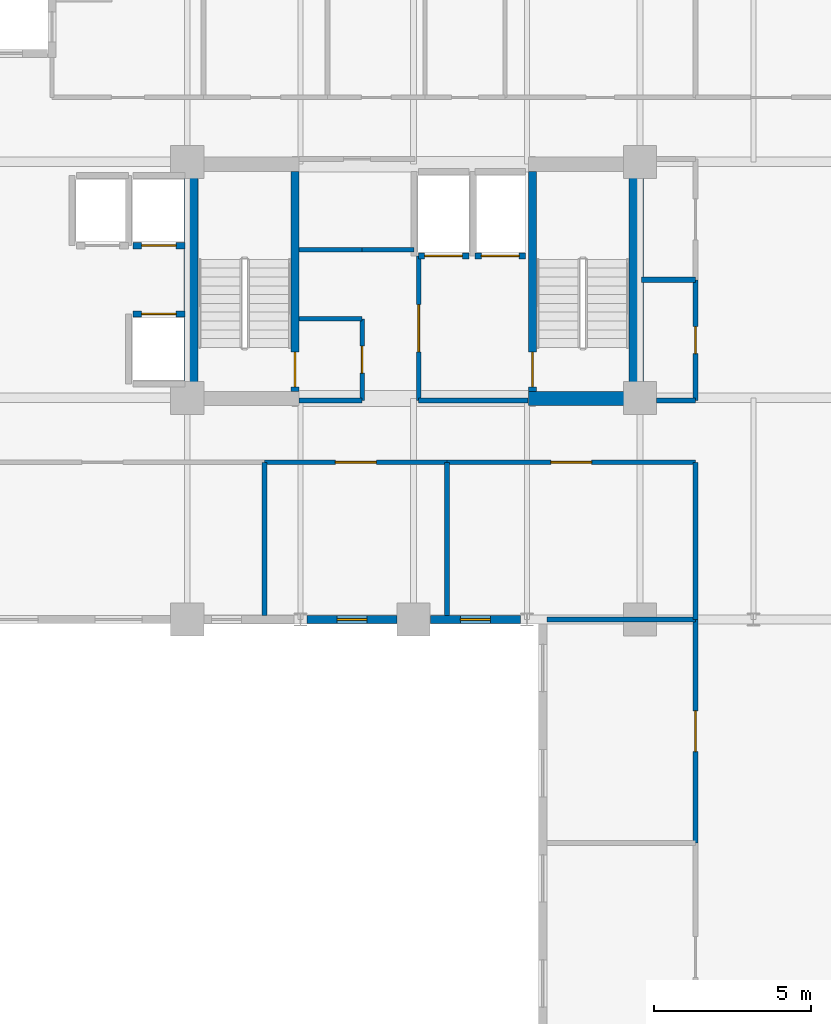
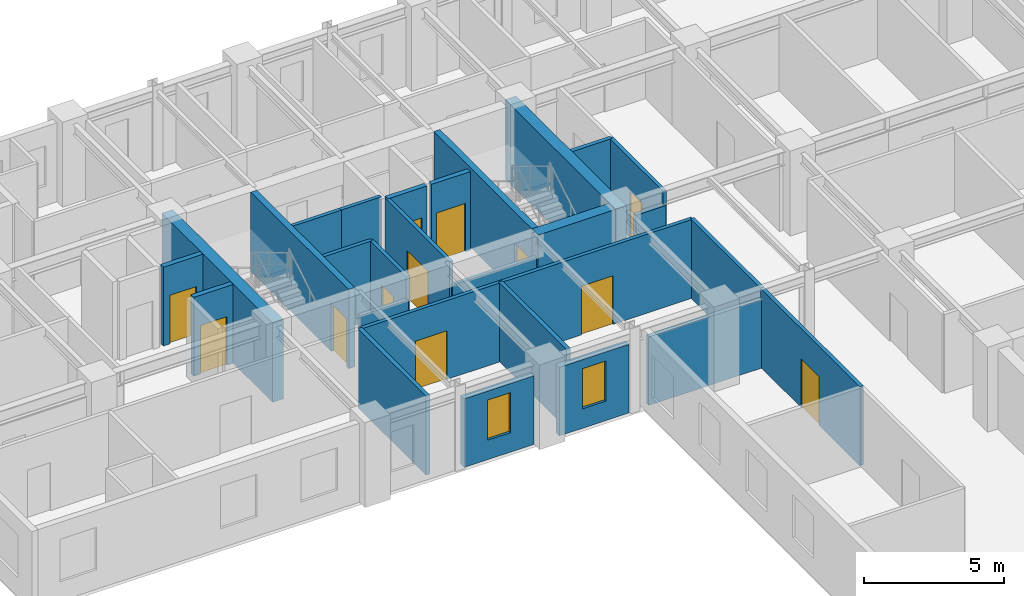
# One storey, part 5 of 13: 28 walls, 12 doors, 2 windows, 14 openings.
"""IFC4 building model written with IfcOpenShell, lengths in metres."""

from ifc_helpers import new_model, si_unit, direction, frame, frame_2d, origin, place, context, subcontext, project, spatial, rectangle, extrude, material, layer, layer_set, type_object, element, fill, save


model = new_model("IFC4")

# Units and contexts
model_context = context("Model", 3, precision=1e-05, world=origin(), true_north=direction((0.0, 1.0)))
body_context = subcontext(model_context, "Body", "Model", "MODEL_VIEW")
ifc_project = project(units=[si_unit("LENGTHUNIT", "METRE"), si_unit("AREAUNIT", "SQUARE_METRE"), si_unit("VOLUMEUNIT", "CUBIC_METRE"), si_unit("PLANEANGLEUNIT", "RADIAN"), si_unit("MASSUNIT", "GRAM", prefix="KILO")], contexts=[model_context])

# Site, building, storey
site_placement = place(None, origin())
site = spatial("IfcSite", under=ifc_project, at=site_placement, CompositionType="ELEMENT")
building_placement = place(site_placement, origin())
building = spatial("IfcBuilding", under=site, at=building_placement, Name="Kaliganga Portal Commons", CompositionType="ELEMENT")
storey_placement = place(building_placement, frame((0.0, 0.0, 177.199951171875)))
storey = spatial("IfcBuildingStorey", under=building, at=storey_placement, Name="L45", CompositionType="ELEMENT", Elevation=177.199951171875)

# Walls
ifc_material_1 = material(Name="Concrete C60/75", Category="concrete")
ifc_layer_1 = layer(ifc_material_1, 0.449951171875)
ifc_layer_set_1 = layer_set([ifc_layer_1], Name="Concrete C60/75")
wall_type_1 = type_object("IfcWallType", Name="WL-CORE-450", PredefinedType="SHEAR", material=ifc_layer_set_1)
for number, where, z_axis, x_axis, name in (
    (1, (14.52490234375, 28.39990234375, 0.0), (0.0, 0.0, 1.0), (0.0, 1.0, 0.0), "Core A West Shear Wall L45"),
    (2, (28.675048828125, 28.39990234375, 0.0), (0.0, 0.0, 1.0), (0.0, 1.0, 0.0), "Core A East Shear Wall L45"),
):
    element("IfcWall", number, at=place(storey_placement, frame(where, z_axis=z_axis, x_axis=x_axis)), inside=storey, type_object=wall_type_1, Name=name, PredefinedType="SHEAR", context=body_context, shape_type="SweptSolid", body=[
        extrude(rectangle(XDim=7.900146484375, YDim=0.449951171875, at=frame_2d((3.9501953125, 0.0))), origin(), (0.0, 0.0, 1.0), 3.4599609375),
    ])
wall_1_placement = place(storey_placement, frame((25.25, 28.625, 0.0), z_axis=(0.0, 0.0, 1.0), x_axis=(1.0, 0.0, 0.0)))
element("IfcWall", 3, at=wall_1_placement, inside=storey, type_object=wall_type_1, Name="Core A S-East Shear Wall L45", PredefinedType="SHEAR", context=body_context, shape_type="SweptSolid", body=[
    extrude(rectangle(XDim=3.199951171875, YDim=0.449951171875, at=frame_2d((1.60009765625, 0.0))), origin(), (0.0, 0.0, 1.0), 3.4599609375),
])

# Wall, opening, window
ifc_material_2 = material(Name="Insulated Aluminium-Clad Spandrel Assembly", Category="aluminium")
ifc_layer_2 = layer(ifc_material_2, 0.260009765625)
ifc_layer_set_2 = layer_set([ifc_layer_2], Name="Insulated Aluminium-Clad Spandrel Assembly")
wall_type_2 = type_object("IfcWallType", Name="WL-EXT-SPAND-260", PredefinedType="STANDARD", material=ifc_layer_set_2)
wall_2_placement = place(storey_placement, frame((21.073974609375, 21.60009765625, 0.0), z_axis=(0.0, 0.0, 1.0), x_axis=(-1.0, 0.0, 0.0)))
wall_2 = element("IfcWall", 4, at=wall_2_placement, inside=storey, type_object=wall_type_2, Name="Exterior Envelope Wall L45 P1-E10-S3", PredefinedType="STANDARD", context=body_context, shape_type="SweptSolid", body=[
    extrude(rectangle(XDim=2.87109375, YDim=0.260009765625, at=frame_2d((1.435546875, 0.0))), origin(), (0.0, 0.0, 1.0), 2.989990234375),
])
opening_1_placement = place(wall_2_placement, frame((0.96044921875, 0.0, 0.85009765625)))
opening_1 = element("IfcOpeningElement", 5, at=opening_1_placement, cuts=wall_2, Name="Opening W-04", PredefinedType="OPENING", context=body_context, shape_type="SweptSolid", body=[
    extrude(rectangle(XDim=0.949951171875, YDim=1.75, at=frame_2d((0.47509765625, 0.875))), frame((0.0, 0.14013671875, 0.0), z_axis=(0.0, -1.0, 0.0), x_axis=(1.0, 0.0, 0.0)), (0.0, 0.0, 1.0), 0.280029296875),
])
ifc_material_3 = material(Name="Thermally Broken Aluminium and Low-E Double Glazing", Category="aluminium")
window_type = type_object("IfcWindowType", Name="WIN-NARROW-950", PartitioningType="SINGLE_PANEL", PredefinedType="WINDOW", material=ifc_material_3)
window_1_placement = place(opening_1_placement, origin())
window_1 = element("IfcWindow", 6, at=window_1_placement, inside=storey, type_object=window_type, Name="Facade Window L45-P1E10S3-00", OverallHeight=1.75, OverallWidth=0.949951171875, PartitioningType="SINGLE_PANEL", PredefinedType="WINDOW", context=body_context, shape_type="SweptSolid", body=[
    extrude(rectangle(XDim=0.949951171875, YDim=1.75, at=frame_2d((0.47509765625, 0.875))), frame((0.0, 0.030029296875, 0.0), z_axis=(0.0, -1.0, 0.0), x_axis=(1.0, 0.0, 0.0)), (0.0, 0.0, 1.0), 0.06005859375),
])
fill(opening_1, window_1)

wall_3_placement = place(storey_placement, frame((24.9970703125, 21.60009765625, 0.0), z_axis=(0.0, 0.0, 1.0), x_axis=(-1.0, 0.0, 0.0)))
wall_3 = element("IfcWall", 7, at=wall_3_placement, inside=storey, type_object=wall_type_2, Name="Exterior Envelope Wall L45 P1-E10-S4", PredefinedType="STANDARD", context=body_context, shape_type="SweptSolid", body=[
    extrude(rectangle(XDim=2.87109375, YDim=0.260009765625, at=frame_2d((1.435546875, 0.0))), origin(), (0.0, 0.0, 1.0), 2.989990234375),
])
opening_2_placement = place(wall_3_placement, frame((0.96044921875, 0.0, 0.85009765625)))
opening_2 = element("IfcOpeningElement", 8, at=opening_2_placement, cuts=wall_3, Name="Opening W-04", PredefinedType="OPENING", context=body_context, shape_type="SweptSolid", body=[
    extrude(rectangle(XDim=0.949951171875, YDim=1.75, at=frame_2d((0.47509765625, 0.875))), frame((0.0, 0.14013671875, 0.0), z_axis=(0.0, -1.0, 0.0), x_axis=(1.0, 0.0, 0.0)), (0.0, 0.0, 1.0), 0.280029296875),
])
window_2_placement = place(opening_2_placement, origin())
window_2 = element("IfcWindow", 9, at=window_2_placement, inside=storey, type_object=window_type, Name="Facade Window L45-P1E10S4-00", OverallHeight=1.75, OverallWidth=0.949951171875, PartitioningType="SINGLE_PANEL", PredefinedType="WINDOW", context=body_context, shape_type="SweptSolid", body=[
    extrude(rectangle(XDim=0.949951171875, YDim=1.75, at=frame_2d((0.47509765625, 0.875))), frame((0.0, 0.030029296875, 0.0), z_axis=(0.0, -1.0, 0.0), x_axis=(1.0, 0.0, 0.0)), (0.0, 0.0, 1.0), 0.06005859375),
])
fill(opening_2, window_2)

# Wall, opening, door
ifc_material_4 = material(Name="Fire-Rated Gypsum Board on Steel Stud", Category="steel")
ifc_layer_3 = layer(ifc_material_4, 0.14990234375)
ifc_layer_set_3 = layer_set([ifc_layer_3], Name="Fire-Rated Gypsum Board on Steel Stud")
wall_type_3 = type_object("IfcWallType", Name="WL-PART-CORR-150", PredefinedType="PARTITIONING", material=ifc_layer_set_3)
wall_4_placement = place(storey_placement, frame((22.659912109375, 26.60009765625, 0.0), z_axis=(0.0, 0.0, 1.0), x_axis=(1.0, 0.0, 0.0)))
wall_4 = element("IfcWall", 10, at=wall_4_placement, inside=storey, type_object=wall_type_3, Name="Interior Partition L45-008", PredefinedType="PARTITIONING", context=body_context, shape_type="SweptSolid", body=[
    extrude(rectangle(XDim=7.900146484375, YDim=0.14990234375, at=frame_2d((3.9501953125, 0.0))), origin(), (0.0, 0.0, 1.0), 3.43994140625),
])
opening_3_placement = place(wall_4_placement, frame((3.300048828125, 0.0, 0.0)))
opening_3 = element("IfcOpeningElement", 11, at=opening_3_placement, cuts=wall_4, Name="Opening RD-03", PredefinedType="OPENING", context=body_context, shape_type="SweptSolid", body=[
    extrude(rectangle(XDim=1.300048828125, YDim=2.1201171875, at=frame_2d((0.64990234375, 1.06005859375))), frame((0.0, 0.0849609375, 0.0), z_axis=(0.0, -1.0, 0.0), x_axis=(1.0, 0.0, 0.0)), (0.0, 0.0, 1.0), 0.169921875),
])
ifc_material_5 = material(Name="Glazed Timber Seminar Vision Door", Category="wood")
door_type_1 = type_object("IfcDoorType", Name="DR-STUDY-1300", OperationType="DOUBLE_DOOR_SINGLE_SWING", PredefinedType="DOOR", material=ifc_material_5)
door_1_placement = place(opening_3_placement, origin())
door_1 = element("IfcDoor", 12, at=door_1_placement, inside=storey, type_object=door_type_1, Name="Interior Door L45-AS04", OperationType="DOUBLE_DOOR_SINGLE_SWING", OverallHeight=2.1201171875, OverallWidth=1.300048828125, PredefinedType="DOOR", context=body_context, shape_type="SweptSolid", body=[
    extrude(rectangle(XDim=1.300048828125, YDim=2.1201171875, at=frame_2d((0.64990234375, 1.06005859375))), frame((0.0, 0.02490234375, 0.0), z_axis=(0.0, -1.0, 0.0), x_axis=(1.0, 0.0, 0.0)), (0.0, 0.0, 1.0), 0.050048828125),
])
fill(opening_3, door_1)

wall_5_placement = place(storey_placement, frame((30.56005859375, 14.5, 0.0), z_axis=(0.0, 0.0, 1.0), x_axis=(0.0, 1.0, 0.0)))
wall_5 = element("IfcWall", 13, at=wall_5_placement, inside=storey, type_object=wall_type_3, Name="Interior Partition L45-013", PredefinedType="PARTITIONING", context=body_context, shape_type="SweptSolid", body=[
    extrude(rectangle(XDim=7.10009765625, YDim=0.14990234375, at=frame_2d((3.550048828125, 0.0))), origin(), (0.0, 0.0, 1.0), 3.43994140625),
])
opening_4_placement = place(wall_5_placement, frame((2.89990234375, 0.0, 0.0)))
opening_4 = element("IfcOpeningElement", 14, at=opening_4_placement, cuts=wall_5, Name="Opening RD-03", PredefinedType="OPENING", context=body_context, shape_type="SweptSolid", body=[
    extrude(rectangle(XDim=1.300048828125, YDim=2.1201171875, at=frame_2d((0.64990234375, 1.06005859375))), frame((0.0, 0.0849609375, 0.0), z_axis=(0.0, -1.0, 0.0), x_axis=(1.0, 0.0, 0.0)), (0.0, 0.0, 1.0), 0.169921875),
])
door_2_placement = place(opening_4_placement, origin())
door_2 = element("IfcDoor", 15, at=door_2_placement, inside=storey, type_object=door_type_1, Name="Interior Door L45-KW02", OperationType="DOUBLE_DOOR_SINGLE_SWING", OverallHeight=2.1201171875, OverallWidth=1.300048828125, PredefinedType="DOOR", context=body_context, shape_type="SweptSolid", body=[
    extrude(rectangle(XDim=1.300048828125, YDim=2.1201171875, at=frame_2d((0.64990234375, 1.06005859375))), frame((0.0, 0.02490234375, 0.0), z_axis=(0.0, -1.0, 0.0), x_axis=(1.0, 0.0, 0.0)), (0.0, 0.0, 1.0), 0.050048828125),
])
fill(opening_4, door_2)

wall_6_placement = place(storey_placement, frame((16.860107421875, 26.60009765625, 0.0), z_axis=(0.0, 0.0, 1.0), x_axis=(1.0, 0.0, 0.0)))
wall_6 = element("IfcWall", 16, at=wall_6_placement, inside=storey, type_object=wall_type_3, Name="Interior Partition L45-022", PredefinedType="PARTITIONING", context=body_context, shape_type="SweptSolid", body=[
    extrude(rectangle(XDim=5.7998046875, YDim=0.14990234375, at=frame_2d((2.89990234375, 0.0))), origin(), (0.0, 0.0, 1.0), 3.43994140625),
])
opening_5_placement = place(wall_6_placement, frame((2.25, 0.0, 0.0)))
opening_5 = element("IfcOpeningElement", 17, at=opening_5_placement, cuts=wall_6, Name="Opening RD-03", PredefinedType="OPENING", context=body_context, shape_type="SweptSolid", body=[
    extrude(rectangle(XDim=1.300048828125, YDim=2.1201171875, at=frame_2d((0.64990234375, 1.06005859375))), frame((0.0, 0.0849609375, 0.0), z_axis=(0.0, -1.0, 0.0), x_axis=(1.0, 0.0, 0.0)), (0.0, 0.0, 1.0), 0.169921875),
])
door_3_placement = place(opening_5_placement, origin())
door_3 = element("IfcDoor", 18, at=door_3_placement, inside=storey, type_object=door_type_1, Name="Interior Door L45-AS03", OperationType="DOUBLE_DOOR_SINGLE_SWING", OverallHeight=2.1201171875, OverallWidth=1.300048828125, PredefinedType="DOOR", context=body_context, shape_type="SweptSolid", body=[
    extrude(rectangle(XDim=1.300048828125, YDim=2.1201171875, at=frame_2d((0.64990234375, 1.06005859375))), frame((0.0, 0.02490234375, 0.0), z_axis=(0.0, -1.0, 0.0), x_axis=(1.0, 0.0, 0.0)), (0.0, 0.0, 1.0), 0.050048828125),
])
fill(opening_5, door_3)

# Wall
wall_7_placement = place(storey_placement, frame((30.56005859375, 21.60009765625, 0.0), z_axis=(0.0, 0.0, 1.0), x_axis=(0.0, 1.0, 0.0)))
element("IfcWall", 19, at=wall_7_placement, inside=storey, type_object=wall_type_3, Name="Interior Partition L45-025", PredefinedType="PARTITIONING", context=body_context, shape_type="SweptSolid", body=[
    extrude(rectangle(XDim=5.0, YDim=0.14990234375, at=frame_2d((2.5, 0.0))), origin(), (0.0, 0.0, 1.0), 3.43994140625),
])

# Wall, opening, door
wall_8_placement = place(storey_placement, frame((30.56005859375, 28.56005859375, 0.0), z_axis=(0.0, 0.0, 1.0), x_axis=(0.0, 1.0, 0.0)))
wall_8 = element("IfcWall", 20, at=wall_8_placement, inside=storey, type_object=wall_type_3, Name="Interior Partition L45-037", PredefinedType="PARTITIONING", context=body_context, shape_type="SweptSolid", body=[
    extrude(rectangle(XDim=3.83984375, YDim=0.14990234375, at=frame_2d((1.919921875, 0.0))), origin(), (0.0, 0.0, 1.0), 3.43994140625),
])
opening_6_placement = place(wall_8_placement, frame((1.489990234375, 0.0, 0.0)))
opening_6 = element("IfcOpeningElement", 21, at=opening_6_placement, cuts=wall_8, Name="Opening WD-02", PredefinedType="OPENING", context=body_context, shape_type="SweptSolid", body=[
    extrude(rectangle(XDim=0.860107421875, YDim=2.02001953125, at=frame_2d((0.43017578125, 1.010009765625))), frame((0.0, 0.0849609375, 0.0), z_axis=(0.0, -1.0, 0.0), x_axis=(1.0, 0.0, 0.0)), (0.0, 0.0, 1.0), 0.169921875),
])
ifc_material_6 = material(Name="Fire-Rated Utility Closet Door", Category="wood")
door_type_2 = type_object("IfcDoorType", Name="DR-STORE-800", OperationType="NOTDEFINED", PredefinedType="DOOR", material=ifc_material_6)
door_4_placement = place(opening_6_placement, origin())
door_4 = element("IfcDoor", 22, at=door_4_placement, inside=storey, type_object=door_type_2, Name="Interior Door L45-CSRV_A1", OperationType="SINGLE_SWING_LEFT", OverallHeight=2.02001953125, OverallWidth=0.860107421875, PredefinedType="DOOR", context=body_context, shape_type="SweptSolid", body=[
    extrude(rectangle(XDim=0.860107421875, YDim=2.02001953125, at=frame_2d((0.43017578125, 1.010009765625))), frame((0.0, 0.02490234375, 0.0), z_axis=(0.0, -1.0, 0.0), x_axis=(1.0, 0.0, 0.0)), (0.0, 0.0, 1.0), 0.050048828125),
])
fill(opening_6, door_4)

wall_9_placement = place(storey_placement, frame((19.9599609375, 28.56005859375, 0.0), z_axis=(0.0, 0.0, 1.0), x_axis=(0.0, 1.0, 0.0)))
wall_9 = element("IfcWall", 23, at=wall_9_placement, inside=storey, type_object=wall_type_3, Name="Interior Partition L45-041", PredefinedType="PARTITIONING", context=body_context, shape_type="SweptSolid", body=[
    extrude(rectangle(XDim=2.599853515625, YDim=0.14990234375, at=frame_2d((1.2998046875, 0.0))), origin(), (0.0, 0.0, 1.0), 3.43994140625),
])
opening_7_placement = place(wall_9_placement, frame((0.8701171875, 0.0, 0.0)))
opening_7 = element("IfcOpeningElement", 24, at=opening_7_placement, cuts=wall_9, Name="Opening WD-02", PredefinedType="OPENING", context=body_context, shape_type="SweptSolid", body=[
    extrude(rectangle(XDim=0.860107421875, YDim=2.02001953125, at=frame_2d((0.43017578125, 1.010009765625))), frame((0.0, 0.0849609375, 0.0), z_axis=(0.0, -1.0, 0.0), x_axis=(1.0, 0.0, 0.0)), (0.0, 0.0, 1.0), 0.169921875),
])
door_5_placement = place(opening_7_placement, origin())
door_5 = element("IfcDoor", 25, at=door_5_placement, inside=storey, type_object=door_type_2, Name="Interior Door L45-CIN_A1", OperationType="SINGLE_SWING_LEFT", OverallHeight=2.02001953125, OverallWidth=0.860107421875, PredefinedType="DOOR", context=body_context, shape_type="SweptSolid", body=[
    extrude(rectangle(XDim=0.860107421875, YDim=2.02001953125, at=frame_2d((0.43017578125, 1.010009765625))), frame((0.0, 0.02490234375, 0.0), z_axis=(0.0, -1.0, 0.0), x_axis=(1.0, 0.0, 0.0)), (0.0, 0.0, 1.0), 0.050048828125),
])
fill(opening_7, door_5)

# Walls
wall_10_placement = place(storey_placement, frame((17.9599609375, 28.56005859375, 0.0), z_axis=(0.0, 0.0, 1.0), x_axis=(1.0, 0.0, 0.0)))
element("IfcWall", 26, at=wall_10_placement, inside=storey, type_object=wall_type_3, Name="Interior Partition L45-045", PredefinedType="PARTITIONING", context=body_context, shape_type="SweptSolid", body=[
    extrude(rectangle(XDim=2.0, YDim=0.14990234375, at=frame_2d((1.0, 0.0))), origin(), (0.0, 0.0, 1.0), 2.43994140625),
])
for number, where, z_axis, x_axis, name in (
    (27, (17.9599609375, 31.159912109375, 0.0), (0.0, 0.0, 1.0), (1.0, 0.0, 0.0), "Interior Partition L45-046"),
    (28, (17.9599609375, 33.360107421875, 0.0), (0.0, 0.0, 1.0), (1.0, 0.0, 0.0), "Interior Partition L45-047"),
):
    element("IfcWall", number, at=place(storey_placement, frame(where, z_axis=z_axis, x_axis=x_axis)), inside=storey, type_object=wall_type_3, Name=name, PredefinedType="PARTITIONING", context=body_context, shape_type="SweptSolid", body=[
        extrude(rectangle(XDim=2.0, YDim=0.14990234375, at=frame_2d((1.0, 0.0))), origin(), (0.0, 0.0, 1.0), 3.43994140625),
    ])
wall_11_placement = place(storey_placement, frame((29.324951171875, 28.56005859375, 0.0), z_axis=(0.0, 0.0, 1.0), x_axis=(1.0, 0.0, 0.0)))
element("IfcWall", 29, at=wall_11_placement, inside=storey, type_object=wall_type_3, Name="Interior Partition L45-049", PredefinedType="PARTITIONING", context=body_context, shape_type="SweptSolid", body=[
    extrude(rectangle(XDim=1.235107421875, YDim=0.14990234375, at=frame_2d((0.61767578125, 0.0))), origin(), (0.0, 0.0, 1.0), 2.840087890625),
])
wall_12_placement = place(storey_placement, frame((19.9599609375, 33.360107421875, 0.0), z_axis=(0.0, 0.0, 1.0), x_axis=(1.0, 0.0, 0.0)))
element("IfcWall", 30, at=wall_12_placement, inside=storey, type_object=wall_type_3, Name="Interior Partition L45-051", PredefinedType="PARTITIONING", context=body_context, shape_type="SweptSolid", body=[
    extrude(rectangle(XDim=1.650146484375, YDim=0.14990234375, at=frame_2d((0.8251953125, 0.0))), origin(), (0.0, 0.0, 1.0), 3.43994140625),
])

# Wall, opening, door
wall_13_placement = place(storey_placement, frame((21.760009765625, 28.56005859375, 0.0), z_axis=(0.0, 0.0, 1.0), x_axis=(0.0, 1.0, 0.0)))
wall_13 = element("IfcWall", 31, at=wall_13_placement, inside=storey, type_object=wall_type_3, Name="Interior Partition L45-073", PredefinedType="PARTITIONING", context=body_context, shape_type="SweptSolid", body=[
    extrude(rectangle(XDim=4.599853515625, YDim=0.14990234375, at=frame_2d((2.2998046875, 0.0))), origin(), (0.0, 0.0, 1.0), 3.43994140625),
])
opening_8_placement = place(wall_13_placement, frame((1.550048828125, 0.0, 0.0)))
opening_8 = element("IfcOpeningElement", 32, at=opening_8_placement, cuts=wall_13, Name="Opening FD-01", PredefinedType="OPENING", context=body_context, shape_type="SweptSolid", body=[
    extrude(rectangle(XDim=1.5, YDim=2.10009765625, at=frame_2d((0.75, 1.050048828125))), frame((0.0, 0.0849609375, 0.0), z_axis=(0.0, -1.0, 0.0), x_axis=(1.0, 0.0, 0.0)), (0.0, 0.0, 1.0), 0.169921875),
])
ifc_material_7 = material(Name="Fire-Rated Hardwood and Georgian-Wired Vision Panel", Category="wood")
door_type_3 = type_object("IfcDoorType", Name="DR-LOBBY-1500", OperationType="DOUBLE_DOOR_SINGLE_SWING", PredefinedType="DOOR", material=ifc_material_7)
door_6_placement = place(opening_8_placement, origin())
door_6 = element("IfcDoor", 33, at=door_6_placement, inside=storey, type_object=door_type_3, Name="Interior Door L45-FFLOB_A", OperationType="DOUBLE_DOOR_SINGLE_SWING", OverallHeight=2.10009765625, OverallWidth=1.5, PredefinedType="DOOR", context=body_context, shape_type="SweptSolid", body=[
    extrude(rectangle(XDim=1.5, YDim=2.10009765625, at=frame_2d((0.75, 1.050048828125))), frame((0.0, 0.02490234375, 0.0), z_axis=(0.0, -1.0, 0.0), x_axis=(1.0, 0.0, 0.0)), (0.0, 0.0, 1.0), 0.050048828125),
])
fill(opening_8, door_6)

# Walls
wall_14_placement = place(storey_placement, frame((21.760009765625, 28.56005859375, 0.0), z_axis=(0.0, 0.0, 1.0), x_axis=(1.0, 0.0, 0.0)))
element("IfcWall", 34, at=wall_14_placement, inside=storey, type_object=wall_type_3, Name="Interior Partition L45-076", PredefinedType="PARTITIONING", context=body_context, shape_type="SweptSolid", body=[
    extrude(rectangle(XDim=3.47998046875, YDim=0.14990234375, at=frame_2d((1.739990234375, 0.0))), origin(), (0.0, 0.0, 1.0), 2.43994140625),
])
ifc_material_8 = material(Name="Twin-Stud Acoustic Gypsum Partition", Category="gypsum")
ifc_layer_4 = layer(ifc_material_8, 0.1650390625)
ifc_layer_set_4 = layer_set([ifc_layer_4], Name="Twin-Stud Acoustic Gypsum Partition")
wall_type_4 = type_object("IfcWallType", Name="WL-PART-UNIT-165", PredefinedType="PARTITIONING", material=ifc_layer_set_4)
for number, where, z_axis, x_axis, name in (
    (35, (16.860107421875, 21.73193359375, 0.0), (0.0, 0.0, 1.0), (0.0, 1.0, 0.0), "Interior Partition L45-065"),
    (36, (22.659912109375, 21.73193359375, 0.0), (0.0, 0.0, 1.0), (0.0, 1.0, 0.0), "Interior Partition L45-068"),
):
    element("IfcWall", number, at=place(storey_placement, frame(where, z_axis=z_axis, x_axis=x_axis)), inside=storey, type_object=wall_type_4, Name=name, PredefinedType="PARTITIONING", context=body_context, shape_type="SweptSolid", body=[
        extrude(rectangle(XDim=4.8681640625, YDim=0.1650390625, at=frame_2d((2.43408203125, 0.0))), origin(), (0.0, 0.0, 1.0), 3.43994140625),
    ])
wall_15_placement = place(storey_placement, frame((25.83203125, 21.60009765625, 0.0), z_axis=(0.0, 0.0, 1.0), x_axis=(1.0, 0.0, 0.0)))
element("IfcWall", 37, at=wall_15_placement, inside=storey, type_object=wall_type_4, Name="Interior Partition L45-072", PredefinedType="PARTITIONING", context=body_context, shape_type="SweptSolid", body=[
    extrude(rectangle(XDim=4.72802734375, YDim=0.1650390625, at=frame_2d((2.364013671875, 0.0))), origin(), (0.0, 0.0, 1.0), 2.989990234375),
])
wall_16_placement = place(storey_placement, frame((28.840087890625, 32.39990234375, 0.0), z_axis=(0.0, 0.0, 1.0), x_axis=(1.0, 0.0, 0.0)))
element("IfcWall", 38, at=wall_16_placement, inside=storey, type_object=wall_type_4, Name="Interior Partition L45-080", PredefinedType="PARTITIONING", context=body_context, shape_type="SweptSolid", body=[
    extrude(rectangle(XDim=1.719970703125, YDim=0.1650390625, at=frame_2d((0.85986328125, 0.0))), origin(), (0.0, 0.0, 1.0), 3.43994140625),
])

# Wall, opening, door
ifc_material_9 = material(Name="Fire-Rated Shaftwall Masonry Assembly", Category="masonry")
ifc_layer_5 = layer(ifc_material_9, 0.199951171875)
ifc_layer_set_5 = layer_set([ifc_layer_5], Name="Fire-Rated Shaftwall Masonry Assembly")
wall_type_5 = type_object("IfcWallType", Name="WL-SHAFT-200", PredefinedType="PARTITIONING", material=ifc_layer_set_5)
wall_17_placement = place(storey_placement, frame((12.675048828125, 33.485107421875, 0.0), z_axis=(0.0, 0.0, 1.0), x_axis=(1.0, 0.0, 0.0)))
wall_17 = element("IfcWall", 39, at=wall_17_placement, inside=storey, type_object=wall_type_5, Name="Lift PL-A3 Hoistway Shaft Wall L45-S", PredefinedType="PARTITIONING", context=body_context, shape_type="SweptSolid", body=[
    extrude(rectangle(XDim=1.64990234375, YDim=0.199951171875, at=frame_2d((0.824951171875, 0.0))), origin(), (0.0, 0.0, 1.0), 3.43994140625),
])
opening_9_placement = place(wall_17_placement, frame((0.27490234375, 0.0, 0.0)))
opening_9 = element("IfcOpeningElement", 40, at=opening_9_placement, cuts=wall_17, Name="Opening LD-01", PredefinedType="OPENING", context=body_context, shape_type="SweptSolid", body=[
    extrude(rectangle(XDim=1.10009765625, YDim=2.1201171875, at=frame_2d((0.550048828125, 1.06005859375))), frame((0.0, 0.10986328125, 0.0), z_axis=(0.0, -1.0, 0.0), x_axis=(1.0, 0.0, 0.0)), (0.0, 0.0, 1.0), 0.219970703125),
])
ifc_material_10 = material(Name="Brushed Stainless Steel 316 Lift Landing Door", Category="steel")
door_type_4 = type_object("IfcDoorType", Name="DR-LIFT-1100", OperationType="SLIDING_TO_LEFT", PredefinedType="DOOR", material=ifc_material_10)
door_7_placement = place(opening_9_placement, origin())
door_7 = element("IfcDoor", 41, at=door_7_placement, inside=storey, type_object=door_type_4, Name="Lift PL-A3 Sliding Landing Door L45", OperationType="SLIDING_TO_LEFT", OverallHeight=2.1201171875, OverallWidth=1.10009765625, PredefinedType="DOOR", context=body_context, shape_type="SweptSolid", body=[
    extrude(rectangle(XDim=1.10009765625, YDim=2.1201171875, at=frame_2d((0.550048828125, 1.06005859375))), frame((0.0, 0.02490234375, 0.0), z_axis=(0.0, -1.0, 0.0), x_axis=(1.0, 0.0, 0.0)), (0.0, 0.0, 1.0), 0.050048828125),
])
fill(opening_9, door_7)

wall_18_placement = place(storey_placement, frame((12.675048828125, 31.31494140625, 0.0), z_axis=(0.0, 0.0, 1.0), x_axis=(1.0, 0.0, 0.0)))
wall_18 = element("IfcWall", 42, at=wall_18_placement, inside=storey, type_object=wall_type_5, Name="Lift PL-A4 Hoistway Shaft Wall L45-N", PredefinedType="PARTITIONING", context=body_context, shape_type="SweptSolid", body=[
    extrude(rectangle(XDim=1.64990234375, YDim=0.199951171875, at=frame_2d((0.824951171875, 0.0))), origin(), (0.0, 0.0, 1.0), 3.43994140625),
])
opening_10_placement = place(wall_18_placement, frame((0.27490234375, 0.0, 0.0)))
opening_10 = element("IfcOpeningElement", 43, at=opening_10_placement, cuts=wall_18, Name="Opening LD-01", PredefinedType="OPENING", context=body_context, shape_type="SweptSolid", body=[
    extrude(rectangle(XDim=1.10009765625, YDim=2.1201171875, at=frame_2d((0.550048828125, 1.06005859375))), frame((0.0, 0.10986328125, 0.0), z_axis=(0.0, -1.0, 0.0), x_axis=(1.0, 0.0, 0.0)), (0.0, 0.0, 1.0), 0.219970703125),
])
door_8_placement = place(opening_10_placement, origin())
door_8 = element("IfcDoor", 44, at=door_8_placement, inside=storey, type_object=door_type_4, Name="Lift PL-A4 Sliding Landing Door L45", OperationType="SLIDING_TO_LEFT", OverallHeight=2.1201171875, OverallWidth=1.10009765625, PredefinedType="DOOR", context=body_context, shape_type="SweptSolid", body=[
    extrude(rectangle(XDim=1.10009765625, YDim=2.1201171875, at=frame_2d((0.550048828125, 1.06005859375))), frame((0.0, 0.02490234375, 0.0), z_axis=(0.0, -1.0, 0.0), x_axis=(1.0, 0.0, 0.0)), (0.0, 0.0, 1.0), 0.050048828125),
])
fill(opening_10, door_8)

wall_19_placement = place(storey_placement, frame((21.75, 33.159912109375, 0.0), z_axis=(0.0, 0.0, 1.0), x_axis=(1.0, 0.0, 0.0)))
wall_19 = element("IfcWall", 45, at=wall_19_placement, inside=storey, type_object=wall_type_5, Name="Lift FFL-1 Hoistway Shaft Wall L45-S", PredefinedType="PARTITIONING", context=body_context, shape_type="SweptSolid", body=[
    extrude(rectangle(XDim=1.60009765625, YDim=0.199951171875, at=frame_2d((0.800048828125, 0.0))), origin(), (0.0, 0.0, 1.0), 3.43994140625),
])
opening_11_placement = place(wall_19_placement, frame((0.199951171875, 0.0, 0.0)))
opening_11 = element("IfcOpeningElement", 46, at=opening_11_placement, cuts=wall_19, Name="Opening LD-02", PredefinedType="OPENING", context=body_context, shape_type="SweptSolid", body=[
    extrude(rectangle(XDim=1.199951171875, YDim=2.1201171875, at=frame_2d((0.60009765625, 1.06005859375))), frame((0.0, 0.10986328125, 0.0), z_axis=(0.0, -1.0, 0.0), x_axis=(1.0, 0.0, 0.0)), (0.0, 0.0, 1.0), 0.219970703125),
])
ifc_material_11 = material(Name="Brushed Stainless Steel 316 Stretcher Lift Landing Door", Category="steel")
door_type_5 = type_object("IfcDoorType", Name="DR-LIFT-1200", OperationType="SLIDING_TO_RIGHT", PredefinedType="DOOR", material=ifc_material_11)
door_9_placement = place(opening_11_placement, origin())
door_9 = element("IfcDoor", 47, at=door_9_placement, inside=storey, type_object=door_type_5, Name="Lift FFL-1 Sliding Landing Door L45", OperationType="SLIDING_TO_RIGHT", OverallHeight=2.1201171875, OverallWidth=1.199951171875, PredefinedType="DOOR", context=body_context, shape_type="SweptSolid", body=[
    extrude(rectangle(XDim=1.199951171875, YDim=2.1201171875, at=frame_2d((0.60009765625, 1.06005859375))), frame((0.0, 0.02490234375, 0.0), z_axis=(0.0, -1.0, 0.0), x_axis=(1.0, 0.0, 0.0)), (0.0, 0.0, 1.0), 0.050048828125),
])
fill(opening_11, door_9)

wall_20_placement = place(storey_placement, frame((23.550048828125, 33.159912109375, 0.0), z_axis=(0.0, 0.0, 1.0), x_axis=(1.0, 0.0, 0.0)))
wall_20 = element("IfcWall", 48, at=wall_20_placement, inside=storey, type_object=wall_type_5, Name="Lift FFL-2 Hoistway Shaft Wall L45-S", PredefinedType="PARTITIONING", context=body_context, shape_type="SweptSolid", body=[
    extrude(rectangle(XDim=1.599853515625, YDim=0.199951171875, at=frame_2d((0.7998046875, 0.0))), origin(), (0.0, 0.0, 1.0), 3.43994140625),
])
opening_12_placement = place(wall_20_placement, frame((0.199951171875, 0.0, 0.0)))
opening_12 = element("IfcOpeningElement", 49, at=opening_12_placement, cuts=wall_20, Name="Opening LD-02", PredefinedType="OPENING", context=body_context, shape_type="SweptSolid", body=[
    extrude(rectangle(XDim=1.199951171875, YDim=2.1201171875, at=frame_2d((0.60009765625, 1.06005859375))), frame((0.0, 0.10986328125, 0.0), z_axis=(0.0, -1.0, 0.0), x_axis=(1.0, 0.0, 0.0)), (0.0, 0.0, 1.0), 0.219970703125),
])
door_10_placement = place(opening_12_placement, origin())
door_10 = element("IfcDoor", 50, at=door_10_placement, inside=storey, type_object=door_type_5, Name="Lift FFL-2 Sliding Landing Door L45", OperationType="SLIDING_TO_RIGHT", OverallHeight=2.1201171875, OverallWidth=1.199951171875, PredefinedType="DOOR", context=body_context, shape_type="SweptSolid", body=[
    extrude(rectangle(XDim=1.199951171875, YDim=2.1201171875, at=frame_2d((0.60009765625, 1.06005859375))), frame((0.0, 0.02490234375, 0.0), z_axis=(0.0, -1.0, 0.0), x_axis=(1.0, 0.0, 0.0)), (0.0, 0.0, 1.0), 0.050048828125),
])
fill(opening_12, door_10)

ifc_material_12 = material(Name="Concrete C50/60", Category="concrete")
ifc_layer_6 = layer(ifc_material_12, 0.25)
ifc_layer_set_6 = layer_set([ifc_layer_6], Name="Concrete C50/60")
wall_type_6 = type_object("IfcWallType", Name="WL-STAIR-250", PredefinedType="SHEAR", material=ifc_layer_set_6)
wall_21_placement = place(storey_placement, frame((17.824951171875, 28.85009765625, 0.0), z_axis=(0.0, 0.0, 1.0), x_axis=(0.0, 1.0, 0.0)))
wall_21 = element("IfcWall", 51, at=wall_21_placement, inside=storey, type_object=wall_type_6, Name="Stair A1 Enclosure Shear Wall L45", PredefinedType="SHEAR", context=body_context, shape_type="SweptSolid", body=[
    extrude(rectangle(XDim=7.0, YDim=0.25, at=frame_2d((3.5, 0.0))), origin(), (0.0, 0.0, 1.0), 3.4599609375),
])
opening_13_placement = place(wall_21_placement, frame((0.14990234375, 0.0, 0.0)))
opening_13 = element("IfcOpeningElement", 52, at=opening_13_placement, cuts=wall_21, Name="Opening SD-01", PredefinedType="OPENING", context=body_context, shape_type="SweptSolid", body=[
    extrude(rectangle(XDim=1.10009765625, YDim=2.080078125, at=frame_2d((0.550048828125, 1.0400390625))), frame((0.0, 0.135009765625, 0.0), z_axis=(0.0, -1.0, 0.0), x_axis=(1.0, 0.0, 0.0)), (0.0, 0.0, 1.0), 0.27001953125),
])
ifc_material_13 = material(Name="Galvanized Steel Fire Door Leaf and Frame", Category="steel")
door_type_6 = type_object("IfcDoorType", Name="DR-STAIR-1100", OperationType="NOTDEFINED", PredefinedType="DOOR", material=ifc_material_13)
door_11_placement = place(opening_13_placement, origin())
door_11 = element("IfcDoor", 53, at=door_11_placement, inside=storey, type_object=door_type_6, Name="Protected Stair ST-A1 Fire Door L45", OperationType="SINGLE_SWING_LEFT", OverallHeight=2.080078125, OverallWidth=1.10009765625, PredefinedType="DOOR", context=body_context, shape_type="SweptSolid", body=[
    extrude(rectangle(XDim=1.10009765625, YDim=2.080078125, at=frame_2d((0.550048828125, 1.0400390625))), frame((0.0, 0.02490234375, 0.0), z_axis=(0.0, -1.0, 0.0), x_axis=(1.0, 0.0, 0.0)), (0.0, 0.0, 1.0), 0.050048828125),
])
fill(opening_13, door_11)

wall_22_placement = place(storey_placement, frame((25.375, 28.85009765625, 0.0), z_axis=(0.0, 0.0, 1.0), x_axis=(0.0, 1.0, 0.0)))
wall_22 = element("IfcWall", 54, at=wall_22_placement, inside=storey, type_object=wall_type_6, Name="Stair A2 Enclosure Shear Wall L45", PredefinedType="SHEAR", context=body_context, shape_type="SweptSolid", body=[
    extrude(rectangle(XDim=7.0, YDim=0.25, at=frame_2d((3.5, 0.0))), origin(), (0.0, 0.0, 1.0), 3.4599609375),
])
opening_14_placement = place(wall_22_placement, frame((0.14990234375, 0.0, 0.0)))
opening_14 = element("IfcOpeningElement", 55, at=opening_14_placement, cuts=wall_22, Name="Opening SD-01", PredefinedType="OPENING", context=body_context, shape_type="SweptSolid", body=[
    extrude(rectangle(XDim=1.10009765625, YDim=2.080078125, at=frame_2d((0.550048828125, 1.0400390625))), frame((0.0, 0.135009765625, 0.0), z_axis=(0.0, -1.0, 0.0), x_axis=(1.0, 0.0, 0.0)), (0.0, 0.0, 1.0), 0.27001953125),
])
door_12_placement = place(opening_14_placement, origin())
door_12 = element("IfcDoor", 56, at=door_12_placement, inside=storey, type_object=door_type_6, Name="Protected Stair ST-A2 Fire Door L45", OperationType="SINGLE_SWING_RIGHT", OverallHeight=2.080078125, OverallWidth=1.10009765625, PredefinedType="DOOR", context=body_context, shape_type="SweptSolid", body=[
    extrude(rectangle(XDim=1.10009765625, YDim=2.080078125, at=frame_2d((0.550048828125, 1.0400390625))), frame((0.0, 0.02490234375, 0.0), z_axis=(0.0, -1.0, 0.0), x_axis=(1.0, 0.0, 0.0)), (0.0, 0.0, 1.0), 0.050048828125),
])
fill(opening_14, door_12)

save(model, "model.ifc")
